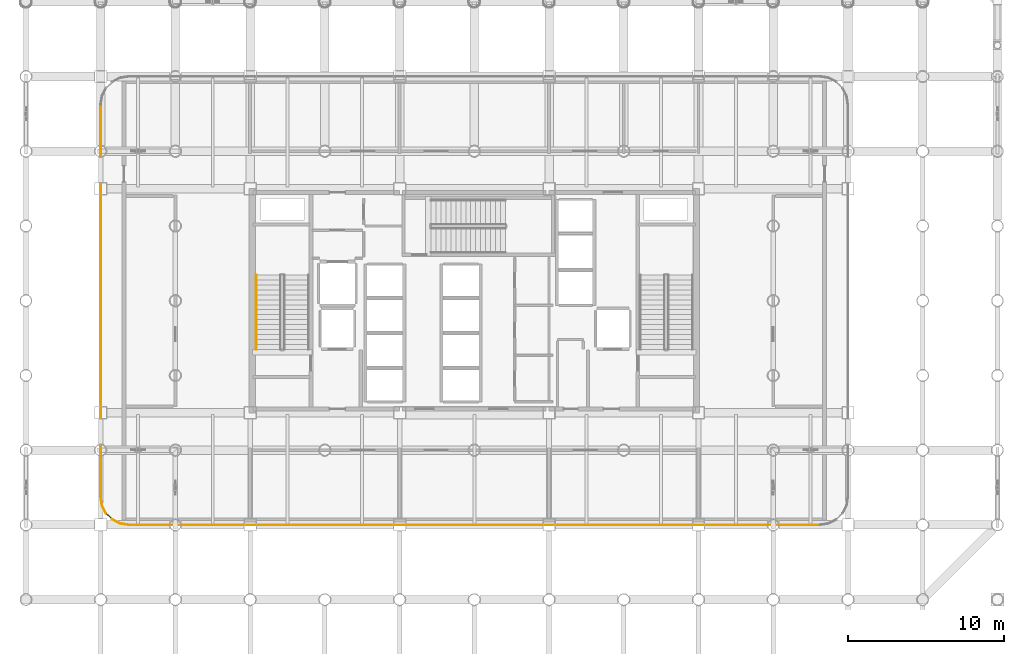
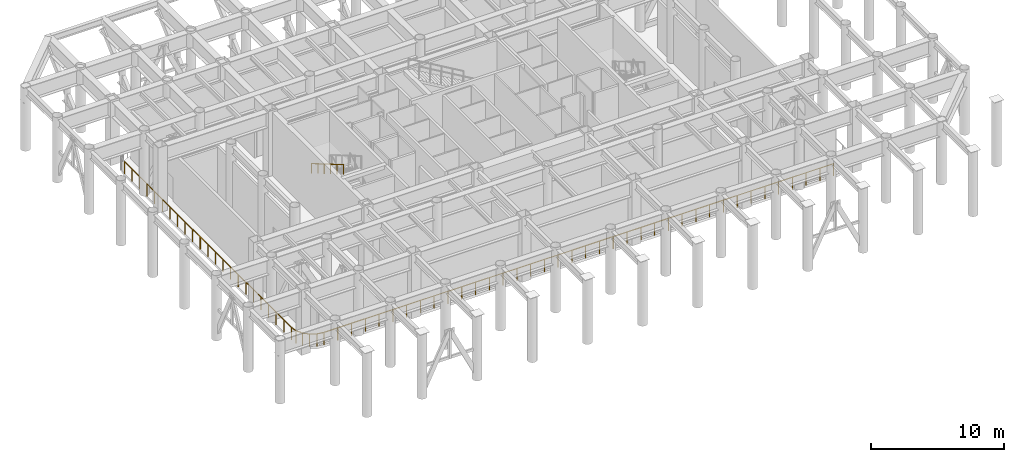
# One storey, part 16 of 19: 8 railings.
"""IFC4 building model written with IfcOpenShell, lengths in metres."""

from ifc_helpers import new_model, si_unit, direction, frame, origin, origin_2d, place, context, subcontext, project, spatial, circle, extrude, material, layer, layer_set, type_object, element, save


model = new_model("IFC4")

# Units and contexts
model_context = context("Model", 3, precision=1e-05, world=origin(), true_north=direction((0.0, 1.0)))
body_context = subcontext(model_context, "Body", "Model", "MODEL_VIEW")
ifc_project = project(units=[si_unit("LENGTHUNIT", "METRE"), si_unit("AREAUNIT", "SQUARE_METRE"), si_unit("VOLUMEUNIT", "CUBIC_METRE"), si_unit("PLANEANGLEUNIT", "RADIAN"), si_unit("MASSUNIT", "GRAM", prefix="KILO")], contexts=[model_context])

# Site, building, storey
site_placement = place(None, origin())
site = spatial("IfcSite", under=ifc_project, at=site_placement, CompositionType="ELEMENT")
building_placement = place(site_placement, origin())
building = spatial("IfcBuilding", under=site, at=building_placement, Name="Kallvorn Hotel Tower", CompositionType="ELEMENT")
storey_placement = place(building_placement, frame((0.0, 0.0, 89.199951171875)))
storey = spatial("IfcBuildingStorey", under=building, at=storey_placement, Name="L21", CompositionType="ELEMENT", Elevation=89.199951171875)

# Railings
ifc_material_1 = material(Name="Brushed stainless-steel tubular railing", Category="steel")
ifc_layer_1 = layer(ifc_material_1, 0.050048828125)
ifc_layer_set_1 = layer_set([ifc_layer_1], Name="RL_STAIR_HAND")
railing_type_1 = type_object("IfcRailingType", Name="RL_STAIR_HAND", PredefinedType="HANDRAIL", material=ifc_layer_set_1)
railing_1_placement = place(storey_placement, frame((-14.010009765625, 1.659912109375, 3.1875)))
element("IfcRailing", 1, at=railing_1_placement, inside=storey, type_object=railing_type_1, Name="L21 ST1 stair handrail 2", PredefinedType="HANDRAIL", context=body_context, shape_type="SweptSolid", body=[
    extrude(circle(Radius=0.02392578125, at=origin_2d()), frame((0.0, 0.0, 0.8759765625), z_axis=(0.0, -0.862790387251, 0.505561813893), x_axis=(1.0, 0.0, 0.0)), (0.0, 0.0, 1.0), 5.563232421875),
    extrude(circle(Radius=0.02099609375, at=origin_2d()), origin(), (0.0, 0.0, 1.0), 0.851806640625),
    extrude(circle(Radius=0.02099609375, at=origin_2d()), frame((0.0, -0.9599609375, 0.5625)), (0.0, 0.0, 1.0), 0.851806640625),
    extrude(circle(Radius=0.02099609375, at=origin_2d()), frame((0.0, -1.919921875, 1.125)), (0.0, 0.0, 1.0), 0.851806640625),
    extrude(circle(Radius=0.02099609375, at=origin_2d()), frame((0.0, -2.8798828125, 1.6875)), (0.0, 0.0, 1.0), 0.851806640625),
    extrude(circle(Radius=0.02099609375, at=origin_2d()), frame((0.0, -3.83984375, 2.25)), (0.0, 0.0, 1.0), 0.851806640625),
    extrude(circle(Radius=0.02099609375, at=origin_2d()), frame((0.0, -4.7998046875, 2.8125)), (0.0, 0.0, 1.0), 0.851806640625),
])
ifc_material_2 = material(Name="Galvanised painted steel S275JR balustrade", Category="steel")
ifc_layer_2 = layer(ifc_material_2, 0.06005859375)
ifc_layer_set_2 = layer_set([ifc_layer_2], Name="RL_WIND_GUARD_1150")
railing_type_2 = type_object("IfcRailingType", Name="RL_WIND_GUARD_1150", PredefinedType="GUARDRAIL", material=ifc_layer_set_2)
railing_2_placement = place(storey_placement, frame((-24.0, 12.60009765625, 0.0)))
element("IfcRailing", 2, at=railing_2_placement, inside=storey, type_object=railing_type_2, Name="L21 Exterior Safety Guardrail WIND-L21-18", PredefinedType="GUARDRAIL", context=body_context, shape_type="SweptSolid", body=[
    extrude(circle(Radius=0.02392578125, at=origin_2d()), frame((0.0, 0.0, 1.1259765625), z_axis=(0.0, -1.0, 0.0), x_axis=(1.0, 0.0, 0.0)), (0.0, 0.0, 1.0), 25.2001953125),
    extrude(circle(Radius=0.02099609375, at=origin_2d()), origin(), (0.0, 0.0, 1.0), 1.101806640625),
    extrude(circle(Radius=0.02099609375, at=origin_2d()), frame((0.0, -1.1455078125, 0.0)), (0.0, 0.0, 1.0), 1.101806640625),
    extrude(circle(Radius=0.02099609375, at=origin_2d()), frame((0.0, -2.291015625, 0.0)), (0.0, 0.0, 1.0), 1.101806640625),
    extrude(circle(Radius=0.02099609375, at=origin_2d()), frame((0.0, -3.436279296875, 0.0)), (0.0, 0.0, 1.0), 1.101806640625),
    extrude(circle(Radius=0.02099609375, at=origin_2d()), frame((0.0, -4.581787109375, 0.0)), (0.0, 0.0, 1.0), 1.101806640625),
    extrude(circle(Radius=0.02099609375, at=origin_2d()), frame((0.0, -5.727294921875, 0.0)), (0.0, 0.0, 1.0), 1.101806640625),
    extrude(circle(Radius=0.02099609375, at=origin_2d()), frame((0.0, -6.872802734375, 0.0)), (0.0, 0.0, 1.0), 1.101806640625),
    extrude(circle(Radius=0.02099609375, at=origin_2d()), frame((0.0, -8.018310546875, 0.0)), (0.0, 0.0, 1.0), 1.101806640625),
    extrude(circle(Radius=0.02099609375, at=origin_2d()), frame((0.0, -9.163818359375, 0.0)), (0.0, 0.0, 1.0), 1.101806640625),
    extrude(circle(Radius=0.02099609375, at=origin_2d()), frame((0.0, -10.30908203125, 0.0)), (0.0, 0.0, 1.0), 1.101806640625),
    extrude(circle(Radius=0.02099609375, at=origin_2d()), frame((0.0, -11.45458984375, 0.0)), (0.0, 0.0, 1.0), 1.101806640625),
    extrude(circle(Radius=0.02099609375, at=origin_2d()), frame((0.0, -12.60009765625, 0.0)), (0.0, 0.0, 1.0), 1.101806640625),
    extrude(circle(Radius=0.02099609375, at=origin_2d()), frame((0.0, -13.74560546875, 0.0)), (0.0, 0.0, 1.0), 1.101806640625),
    extrude(circle(Radius=0.02099609375, at=origin_2d()), frame((0.0, -14.89111328125, 0.0)), (0.0, 0.0, 1.0), 1.101806640625),
    extrude(circle(Radius=0.02099609375, at=origin_2d()), frame((0.0, -16.036376953125, 0.0)), (0.0, 0.0, 1.0), 1.101806640625),
    extrude(circle(Radius=0.02099609375, at=origin_2d()), frame((0.0, -17.181884765625, 0.0)), (0.0, 0.0, 1.0), 1.101806640625),
    extrude(circle(Radius=0.02099609375, at=origin_2d()), frame((0.0, -18.327392578125, 0.0)), (0.0, 0.0, 1.0), 1.101806640625),
    extrude(circle(Radius=0.02099609375, at=origin_2d()), frame((0.0, -19.472900390625, 0.0)), (0.0, 0.0, 1.0), 1.101806640625),
    extrude(circle(Radius=0.02099609375, at=origin_2d()), frame((0.0, -20.618408203125, 0.0)), (0.0, 0.0, 1.0), 1.101806640625),
    extrude(circle(Radius=0.02099609375, at=origin_2d()), frame((0.0, -21.763916015625, 0.0)), (0.0, 0.0, 1.0), 1.101806640625),
    extrude(circle(Radius=0.02099609375, at=origin_2d()), frame((0.0, -22.9091796875, 0.0)), (0.0, 0.0, 1.0), 1.101806640625),
    extrude(circle(Radius=0.02099609375, at=origin_2d()), frame((0.0, -24.0546875, 0.0)), (0.0, 0.0, 1.0), 1.101806640625),
    extrude(circle(Radius=0.02099609375, at=origin_2d()), frame((0.0, -25.2001953125, 0.0)), (0.0, 0.0, 1.0), 1.101806640625),
])
railing_3_placement = place(storey_placement, frame((-24.0, -12.60009765625, 0.0)))
element("IfcRailing", 3, at=railing_3_placement, inside=storey, type_object=railing_type_2, Name="L21 Exterior Safety Guardrail WIND-L21-19", PredefinedType="GUARDRAIL", context=body_context, shape_type="SweptSolid", body=[
    extrude(circle(Radius=0.02392578125, at=origin_2d()), frame((0.0, 0.0, 1.1259765625), z_axis=(0.156519160234, -0.987674922472, 0.0), x_axis=(0.987674922472, 0.156519160234, 0.0)), (0.0, 0.0, 1.0), 0.56298828125),
    extrude(circle(Radius=0.02099609375, at=origin_2d()), origin(), (0.0, 0.0, 1.0), 1.101806640625),
    extrude(circle(Radius=0.02099609375, at=origin_2d()), frame((0.088134765625, -0.55615234375, 0.0)), (0.0, 0.0, 1.0), 1.101806640625),
])
railing_4_placement = place(storey_placement, frame((-23.911865234375, -13.15625, 0.0)))
element("IfcRailing", 4, at=railing_4_placement, inside=storey, type_object=railing_type_2, Name="L21 Exterior Safety Guardrail WIND-L21-20", PredefinedType="GUARDRAIL", context=body_context, shape_type="SweptSolid", body=[
    extrude(circle(Radius=0.02392578125, at=origin_2d()), frame((0.0, 0.0, 1.1259765625), z_axis=(0.453964752271, -0.89101964271, 0.0), x_axis=(0.89101964271, 0.453964752271, 0.0)), (0.0, 0.0, 1.0), 0.56298828125),
    extrude(circle(Radius=0.02099609375, at=origin_2d()), origin(), (0.0, 0.0, 1.0), 1.101806640625),
    extrude(circle(Radius=0.02099609375, at=origin_2d()), frame((0.255615234375, -0.501708984375, 0.0)), (0.0, 0.0, 1.0), 1.101806640625),
])
railing_5_placement = place(storey_placement, frame((-23.65625, -13.657958984375, 0.0)))
element("IfcRailing", 5, at=railing_5_placement, inside=storey, type_object=railing_type_2, Name="L21 Exterior Safety Guardrail WIND-L21-21", PredefinedType="GUARDRAIL", context=body_context, shape_type="SweptSolid", body=[
    extrude(circle(Radius=0.02392578125, at=origin_2d()), frame((0.0, 0.0, 1.1259765625), z_axis=(0.707106781187, -0.707106781187, 0.0), x_axis=(0.707106781187, 0.707106781187, 0.0)), (0.0, 0.0, 1.0), 0.563232421875),
    extrude(circle(Radius=0.02099609375, at=origin_2d()), origin(), (0.0, 0.0, 1.0), 1.101806640625),
    extrude(circle(Radius=0.02099609375, at=origin_2d()), frame((0.398193359375, -0.398193359375, 0.0)), (0.0, 0.0, 1.0), 1.101806640625),
])
railing_6_placement = place(storey_placement, frame((-23.258056640625, -14.05615234375, 0.0)))
element("IfcRailing", 6, at=railing_6_placement, inside=storey, type_object=railing_type_2, Name="L21 Exterior Safety Guardrail WIND-L21-22", PredefinedType="GUARDRAIL", context=body_context, shape_type="SweptSolid", body=[
    extrude(circle(Radius=0.02392578125, at=origin_2d()), frame((0.0, 0.0, 1.1259765625), z_axis=(0.89093365011, -0.454133494803, 0.0), x_axis=(0.454133494803, 0.89093365011, 0.0)), (0.0, 0.0, 1.0), 0.5634765625),
    extrude(circle(Radius=0.02099609375, at=origin_2d()), origin(), (0.0, 0.0, 1.0), 1.101806640625),
    extrude(circle(Radius=0.02099609375, at=origin_2d()), frame((0.501953125, -0.255859375, 0.0)), (0.0, 0.0, 1.0), 1.101806640625),
])
railing_7_placement = place(storey_placement, frame((-22.756103515625, -14.31201171875, 0.0)))
element("IfcRailing", 7, at=railing_7_placement, inside=storey, type_object=railing_type_2, Name="L21 Exterior Safety Guardrail WIND-L21-23", PredefinedType="GUARDRAIL", context=body_context, shape_type="SweptSolid", body=[
    extrude(circle(Radius=0.02392578125, at=origin_2d()), frame((0.0, 0.0, 1.1259765625), z_axis=(0.987741862218, -0.156096167866, 0.0), x_axis=(0.156096167866, 0.987741862218, 0.0)), (0.0, 0.0, 1.0), 0.56298828125),
    extrude(circle(Radius=0.02099609375, at=origin_2d()), origin(), (0.0, 0.0, 1.0), 1.101806640625),
    extrude(circle(Radius=0.02099609375, at=origin_2d()), frame((0.55615234375, -0.087890625, 0.0)), (0.0, 0.0, 1.0), 1.101806640625),
])
railing_8_placement = place(storey_placement, frame((-22.199951171875, -14.39990234375, 0.0)))
element("IfcRailing", 8, at=railing_8_placement, inside=storey, type_object=railing_type_2, Name="L21 Exterior Safety Guardrail WIND-L21-24", PredefinedType="GUARDRAIL", context=body_context, shape_type="SweptSolid", body=[
    extrude(circle(Radius=0.02392578125, at=origin_2d()), frame((0.0, 0.0, 1.1259765625), z_axis=(1.0, 0.0, 0.0), x_axis=(0.0, 1.0, 0.0)), (0.0, 0.0, 1.0), 44.39990234375),
    extrude(circle(Radius=0.02099609375, at=origin_2d()), origin(), (0.0, 0.0, 1.0), 1.101806640625),
    extrude(circle(Radius=0.02099609375, at=origin_2d()), frame((1.199951171875, 0.0, 0.0)), (0.0, 0.0, 1.0), 1.101806640625),
    extrude(circle(Radius=0.02099609375, at=origin_2d()), frame((2.39990234375, 0.0, 0.0)), (0.0, 0.0, 1.0), 1.101806640625),
    extrude(circle(Radius=0.02099609375, at=origin_2d()), frame((3.60009765625, 0.0, 0.0)), (0.0, 0.0, 1.0), 1.101806640625),
    extrude(circle(Radius=0.02099609375, at=origin_2d()), frame((4.800048828125, 0.0, 0.0)), (0.0, 0.0, 1.0), 1.101806640625),
    extrude(circle(Radius=0.02099609375, at=origin_2d()), frame((6.0, 0.0, 0.0)), (0.0, 0.0, 1.0), 1.101806640625),
    extrude(circle(Radius=0.02099609375, at=origin_2d()), frame((7.199951171875, 0.0, 0.0)), (0.0, 0.0, 1.0), 1.101806640625),
    extrude(circle(Radius=0.02099609375, at=origin_2d()), frame((8.39990234375, 0.0, 0.0)), (0.0, 0.0, 1.0), 1.101806640625),
    extrude(circle(Radius=0.02099609375, at=origin_2d()), frame((9.60009765625, 0.0, 0.0)), (0.0, 0.0, 1.0), 1.101806640625),
    extrude(circle(Radius=0.02099609375, at=origin_2d()), frame((10.800048828125, 0.0, 0.0)), (0.0, 0.0, 1.0), 1.101806640625),
    extrude(circle(Radius=0.02099609375, at=origin_2d()), frame((12.0, 0.0, 0.0)), (0.0, 0.0, 1.0), 1.101806640625),
    extrude(circle(Radius=0.02099609375, at=origin_2d()), frame((13.199951171875, 0.0, 0.0)), (0.0, 0.0, 1.0), 1.101806640625),
    extrude(circle(Radius=0.02099609375, at=origin_2d()), frame((14.39990234375, 0.0, 0.0)), (0.0, 0.0, 1.0), 1.101806640625),
    extrude(circle(Radius=0.02099609375, at=origin_2d()), frame((15.599853515625, 0.0, 0.0)), (0.0, 0.0, 1.0), 1.101806640625),
    extrude(circle(Radius=0.02099609375, at=origin_2d()), frame((16.800048828125, 0.0, 0.0)), (0.0, 0.0, 1.0), 1.101806640625),
    extrude(circle(Radius=0.02099609375, at=origin_2d()), frame((18.0, 0.0, 0.0)), (0.0, 0.0, 1.0), 1.101806640625),
    extrude(circle(Radius=0.02099609375, at=origin_2d()), frame((19.199951171875, 0.0, 0.0)), (0.0, 0.0, 1.0), 1.101806640625),
    extrude(circle(Radius=0.02099609375, at=origin_2d()), frame((20.39990234375, 0.0, 0.0)), (0.0, 0.0, 1.0), 1.101806640625),
    extrude(circle(Radius=0.02099609375, at=origin_2d()), frame((21.599853515625, 0.0, 0.0)), (0.0, 0.0, 1.0), 1.101806640625),
    extrude(circle(Radius=0.02099609375, at=origin_2d()), frame((22.800048828125, 0.0, 0.0)), (0.0, 0.0, 1.0), 1.101806640625),
    extrude(circle(Radius=0.02099609375, at=origin_2d()), frame((24.0, 0.0, 0.0)), (0.0, 0.0, 1.0), 1.101806640625),
    extrude(circle(Radius=0.02099609375, at=origin_2d()), frame((25.199951171875, 0.0, 0.0)), (0.0, 0.0, 1.0), 1.101806640625),
    extrude(circle(Radius=0.02099609375, at=origin_2d()), frame((26.39990234375, 0.0, 0.0)), (0.0, 0.0, 1.0), 1.101806640625),
    extrude(circle(Radius=0.02099609375, at=origin_2d()), frame((27.599853515625, 0.0, 0.0)), (0.0, 0.0, 1.0), 1.101806640625),
    extrude(circle(Radius=0.02099609375, at=origin_2d()), frame((28.800048828125, 0.0, 0.0)), (0.0, 0.0, 1.0), 1.101806640625),
    extrude(circle(Radius=0.02099609375, at=origin_2d()), frame((30.0, 0.0, 0.0)), (0.0, 0.0, 1.0), 1.101806640625),
    extrude(circle(Radius=0.02099609375, at=origin_2d()), frame((31.199951171875, 0.0, 0.0)), (0.0, 0.0, 1.0), 1.101806640625),
    extrude(circle(Radius=0.02099609375, at=origin_2d()), frame((32.39990234375, 0.0, 0.0)), (0.0, 0.0, 1.0), 1.101806640625),
    extrude(circle(Radius=0.02099609375, at=origin_2d()), frame((33.599853515625, 0.0, 0.0)), (0.0, 0.0, 1.0), 1.101806640625),
    extrude(circle(Radius=0.02099609375, at=origin_2d()), frame((34.7998046875, 0.0, 0.0)), (0.0, 0.0, 1.0), 1.101806640625),
    extrude(circle(Radius=0.02099609375, at=origin_2d()), frame((36.0, 0.0, 0.0)), (0.0, 0.0, 1.0), 1.101806640625),
    extrude(circle(Radius=0.02099609375, at=origin_2d()), frame((37.199951171875, 0.0, 0.0)), (0.0, 0.0, 1.0), 1.101806640625),
    extrude(circle(Radius=0.02099609375, at=origin_2d()), frame((38.39990234375, 0.0, 0.0)), (0.0, 0.0, 1.0), 1.101806640625),
    extrude(circle(Radius=0.02099609375, at=origin_2d()), frame((39.599853515625, 0.0, 0.0)), (0.0, 0.0, 1.0), 1.101806640625),
    extrude(circle(Radius=0.02099609375, at=origin_2d()), frame((40.7998046875, 0.0, 0.0)), (0.0, 0.0, 1.0), 1.101806640625),
    extrude(circle(Radius=0.02099609375, at=origin_2d()), frame((42.0, 0.0, 0.0)), (0.0, 0.0, 1.0), 1.101806640625),
    extrude(circle(Radius=0.02099609375, at=origin_2d()), frame((43.199951171875, 0.0, 0.0)), (0.0, 0.0, 1.0), 1.101806640625),
    extrude(circle(Radius=0.02099609375, at=origin_2d()), frame((44.39990234375, 0.0, 0.0)), (0.0, 0.0, 1.0), 1.101806640625),
])

save(model, "model.ifc")
